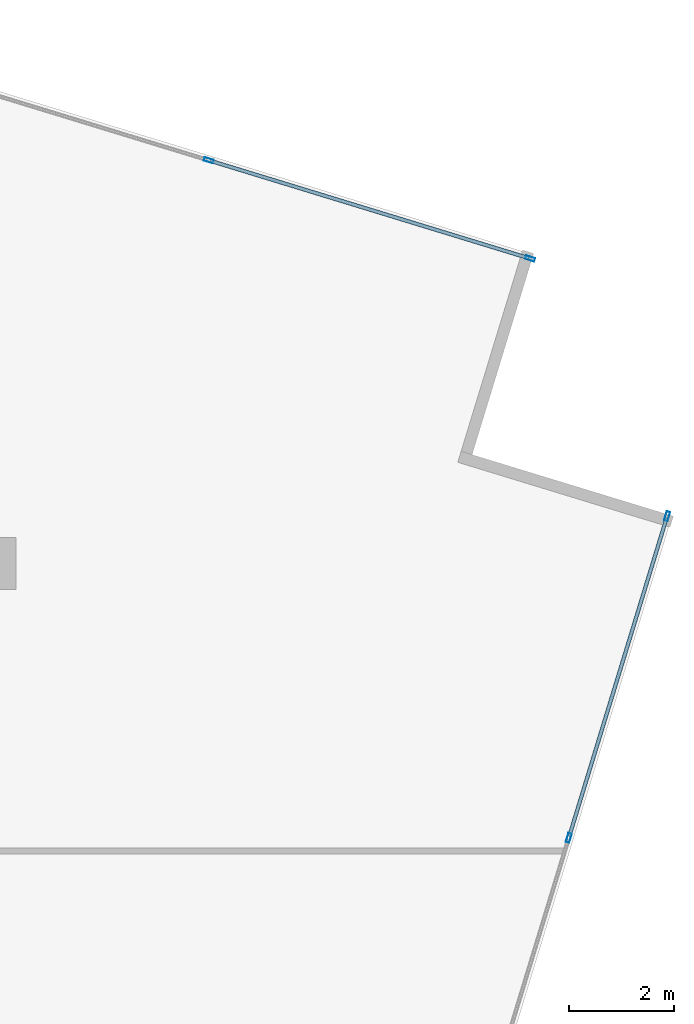
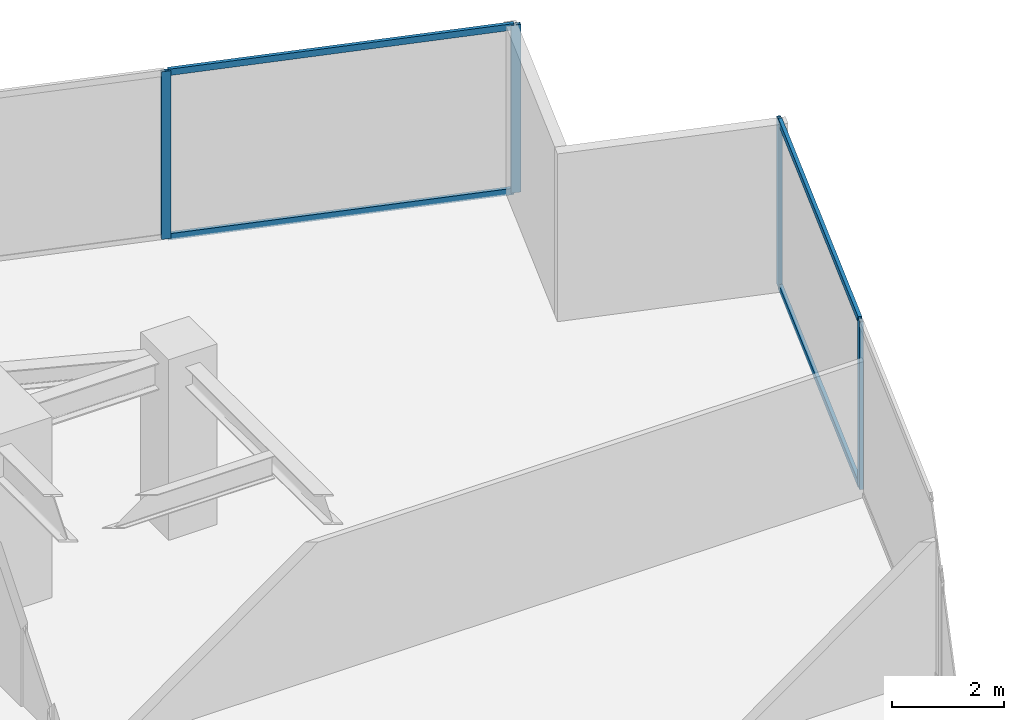
# One storey, part 19 of 26: 8 members, 2 elements without a shape of their own.
"""IFC4 building model written with IfcOpenShell, lengths in metres."""

from ifc_helpers import new_model, si_unit, direction, frame, origin, origin_2d, place, context, subcontext, project, spatial, hollow_rectangle, extrude, source, transform, mapped, material, material_profile, profile_set, type_object, type_shapes, element, aggregate, save


model = new_model("IFC4")

# Units and contexts
model_context = context("Model", 3, precision=1e-05, world=origin(), true_north=direction((0.0, 1.0)))
body_context = subcontext(model_context, "Body", "Model", "MODEL_VIEW")
ifc_project = project(units=[si_unit("LENGTHUNIT", "METRE"), si_unit("AREAUNIT", "SQUARE_METRE"), si_unit("VOLUMEUNIT", "CUBIC_METRE"), si_unit("PLANEANGLEUNIT", "RADIAN"), si_unit("MASSUNIT", "GRAM", prefix="KILO")], contexts=[model_context])

# Site, building, storey
site_placement = place(None, origin())
site = spatial("IfcSite", under=ifc_project, at=site_placement, CompositionType="ELEMENT")
building_placement = place(site_placement, origin())
building = spatial("IfcBuilding", under=site, at=building_placement, Name="Krantzveldt Concourse Tower", CompositionType="ELEMENT")
storey_placement = place(building_placement, frame((0.0, 0.0, 113.75)))
storey = spatial("IfcBuildingStorey", under=building, at=storey_placement, Name="L27", CompositionType="ELEMENT", Elevation=113.75)

# Curtain wall, members
ifc_material = material(Name="Anodised aluminium 6063-T6", Category="aluminium")
curtain_wall_type = type_object("IfcCurtainWallType", Name="CW2", PredefinedType="USERDEFINED", material=ifc_material)
curtain_wall_1_placement = place(storey_placement, origin())
curtain_wall_1 = element("IfcCurtainWall", 1, at=curtain_wall_1_placement, inside=storey, type_object=curtain_wall_type, Name="CW-L27-F07", ObjectType="UNITISED CURTAIN WALL", PredefinedType="USERDEFINED")
ifc_material_profile_1 = material_profile(ifc_material, hollow_rectangle(XDim=0.070068359375, YDim=0.179931640625, WallThickness=0.0048828125, at=origin_2d()), Name="Anodised aluminium 6063-T6", Category="aluminium")
ifc_profile_set_1 = profile_set([ifc_material_profile_1], Name="Anodised aluminium 6063-T6 - ALU-MULL 180x70x5")
member_type_1 = type_object("IfcMemberType", Name="CW-MUL-180", PredefinedType="MULLION", material=ifc_profile_set_1)
shared_shape_1 = source(origin(), body_context, "Body", "SweptSolid", [
    extrude(hollow_rectangle(XDim=0.070068359375, YDim=0.179931640625, WallThickness=0.0048828125, at=origin_2d()), origin(), (0.0, 0.0, 1.0), 3.669921875),
])
type_shapes(member_type_1, [shared_shape_1])
member_1_placement = place(storey_placement, frame((62.07275390625, 32.2529296875, 0.0), z_axis=(0.0, 0.0, 1.0), x_axis=(-0.956304761423, 0.292371686864, 0.0)))
member_1 = element("IfcMember", 2, at=member_1_placement, type_object=member_type_1, Name="CW-Z12 mullion 6", PredefinedType="MULLION", context=body_context, shape_type="MappedRepresentation", body=[
    mapped(shared_shape_1, transform((0.0, 0.0, 0.0), x_axis=(1.0, 0.0, 0.0), y_axis=(0.0, 1.0, 0.0), z_axis=(0.0, 0.0, 1.0), scale=1.0)),
])
member_2_placement = place(storey_placement, frame((63.953125, 38.403564453125, 0.0), z_axis=(0.0, 0.0, 1.0), x_axis=(-0.956304761423, 0.292371686864, 0.0)))
member_2 = element("IfcMember", 3, at=member_2_placement, type_object=member_type_1, Name="CW-Z12 mullion 7", PredefinedType="MULLION", context=body_context, shape_type="MappedRepresentation", body=[
    mapped(shared_shape_1, transform((0.0, 0.0, 0.0), x_axis=(1.0, 0.0, 0.0), y_axis=(0.0, 1.0, 0.0), z_axis=(0.0, 0.0, 1.0), scale=1.0)),
])

curtain_wall_2_placement = place(storey_placement, origin())
curtain_wall_2 = element("IfcCurtainWall", 4, at=curtain_wall_2_placement, inside=storey, type_object=curtain_wall_type, Name="CW-L27-F10", ObjectType="UNITISED CURTAIN WALL", PredefinedType="USERDEFINED")
member_3_placement = place(storey_placement, frame((61.333984375, 43.32958984375, 0.0), z_axis=(0.0, 0.0, 1.0), x_axis=(-0.292371686864, -0.956304761423, 0.0)))
member_3 = element("IfcMember", 5, at=member_3_placement, type_object=member_type_1, Name="CW-Z12 mullion 1", PredefinedType="MULLION", context=body_context, shape_type="MappedRepresentation", body=[
    mapped(shared_shape_1, transform((0.0, 0.0, 0.0), x_axis=(1.0, 0.0, 0.0), y_axis=(0.0, 1.0, 0.0), z_axis=(0.0, 0.0, 1.0), scale=1.0)),
])
member_4_placement = place(storey_placement, frame((55.183349609375, 45.210205078125, 0.0), z_axis=(0.0, 0.0, 1.0), x_axis=(-0.292371686864, -0.956304761423, 0.0)))
member_4 = element("IfcMember", 6, at=member_4_placement, type_object=member_type_1, Name="CW-Z12 mullion 2", PredefinedType="MULLION", context=body_context, shape_type="MappedRepresentation", body=[
    mapped(shared_shape_1, transform((0.0, 0.0, 0.0), x_axis=(1.0, 0.0, 0.0), y_axis=(0.0, 1.0, 0.0), z_axis=(0.0, 0.0, 1.0), scale=1.0)),
])

# Member
ifc_material_profile_2 = material_profile(ifc_material, hollow_rectangle(XDim=0.070068359375, YDim=0.139892578125, WallThickness=0.0048828125, at=origin_2d()), Name="Anodised aluminium 6063-T6", Category="aluminium")
ifc_profile_set_2 = profile_set([ifc_material_profile_2], Name="Anodised aluminium 6063-T6 - ALU-TRAN 140x70x5")
member_type_2 = type_object("IfcMemberType", Name="CW-TRN-150", PredefinedType="USERDEFINED", material=ifc_profile_set_2)
shared_shape_2 = source(origin(), body_context, "Body", "SweptSolid", [
    extrude(hollow_rectangle(XDim=0.070068359375, YDim=0.139892578125, WallThickness=0.0048828125, at=origin_2d()), origin(), (0.0, 0.0, 1.0), 6.36181640625),
])
type_shapes(member_type_2, [shared_shape_2])
member_5_placement = place(storey_placement, frame((62.0830078125, 32.286376953125, 0.034912109375), z_axis=(0.292389152537, 0.956299421457, 0.0), x_axis=(-0.956299421457, 0.292389152537, 0.0)))
member_5 = element("IfcMember", 7, at=member_5_placement, type_object=member_type_2, Name="CW-Z12 transom 6.1", ObjectType="TRANSOM", PredefinedType="USERDEFINED", context=body_context, shape_type="MappedRepresentation", body=[
    mapped(shared_shape_2, transform((0.0, 0.0, 0.0), x_axis=(1.0, 0.0, 0.0), y_axis=(0.0, 1.0, 0.0), z_axis=(0.0, 0.0, 1.0), scale=1.0)),
])

member_6_placement = place(storey_placement, frame((62.0830078125, 32.286376953125, 3.635009765625), z_axis=(0.292389152537, 0.956299421457, 0.0), x_axis=(-0.956299421457, 0.292389152537, 0.0)))
member_6 = element("IfcMember", 8, at=member_6_placement, type_object=member_type_2, Name="CW-Z12 transom 6.2", ObjectType="TRANSOM", PredefinedType="USERDEFINED", context=body_context, shape_type="MappedRepresentation", body=[
    mapped(shared_shape_2, transform((0.0, 0.0, 0.0), x_axis=(1.0, 0.0, 0.0), y_axis=(0.0, 1.0, 0.0), z_axis=(0.0, 0.0, 1.0), scale=1.0)),
])

aggregate(curtain_wall_1, [member_1, member_2, member_5, member_6])

member_7_placement = place(storey_placement, frame((61.300537109375, 43.33984375, 0.034912109375), z_axis=(-0.956299421457, 0.292389152537, 0.0), x_axis=(-0.292389152537, -0.956299421457, 0.0)))
member_7 = element("IfcMember", 9, at=member_7_placement, type_object=member_type_2, Name="CW-Z12 transom 1.1", ObjectType="TRANSOM", PredefinedType="USERDEFINED", context=body_context, shape_type="MappedRepresentation", body=[
    mapped(shared_shape_2, transform((0.0, 0.0, 0.0), x_axis=(1.0, 0.0, 0.0), y_axis=(0.0, 1.0, 0.0), z_axis=(0.0, 0.0, 1.0), scale=1.0)),
])

member_8_placement = place(storey_placement, frame((61.300537109375, 43.33984375, 3.635009765625), z_axis=(-0.956299421457, 0.292389152537, 0.0), x_axis=(-0.292389152537, -0.956299421457, 0.0)))
member_8 = element("IfcMember", 10, at=member_8_placement, type_object=member_type_2, Name="CW-Z12 transom 1.2", ObjectType="TRANSOM", PredefinedType="USERDEFINED", context=body_context, shape_type="MappedRepresentation", body=[
    mapped(shared_shape_2, transform((0.0, 0.0, 0.0), x_axis=(1.0, 0.0, 0.0), y_axis=(0.0, 1.0, 0.0), z_axis=(0.0, 0.0, 1.0), scale=1.0)),
])

aggregate(curtain_wall_2, [member_3, member_4, member_7, member_8])

save(model, "model.ifc")
